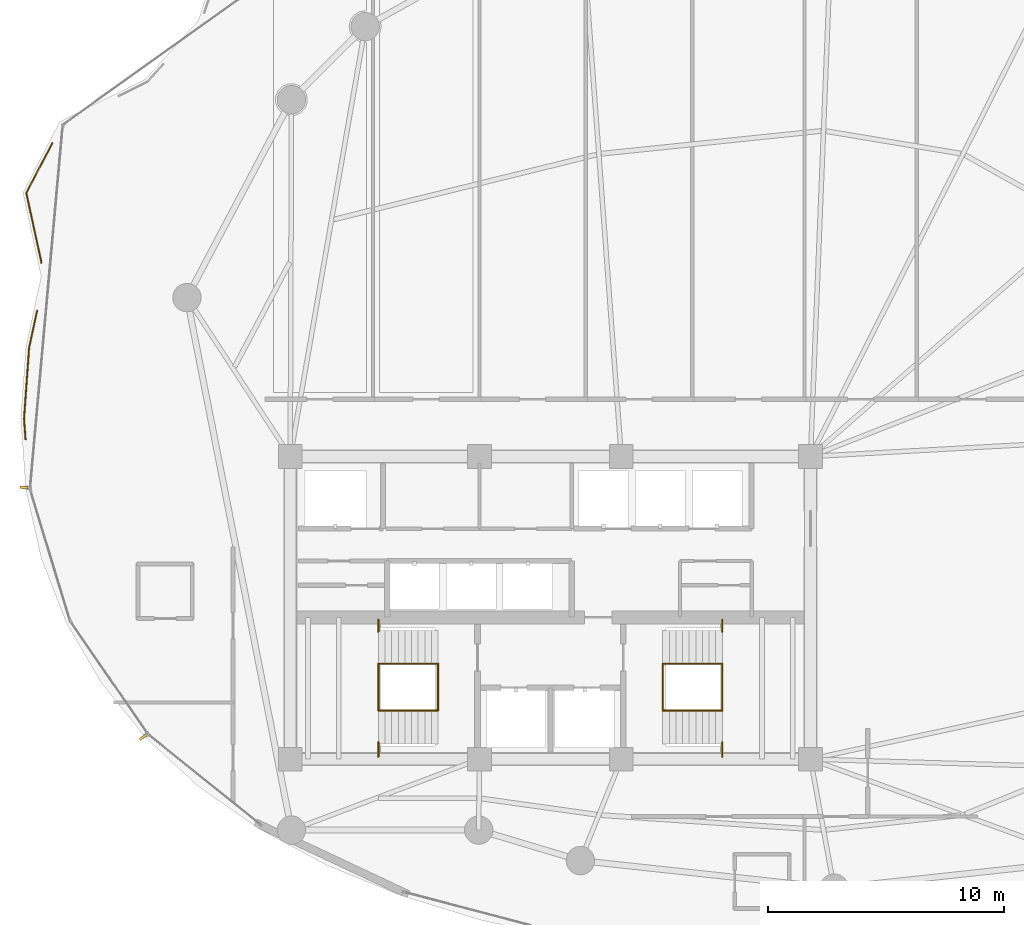
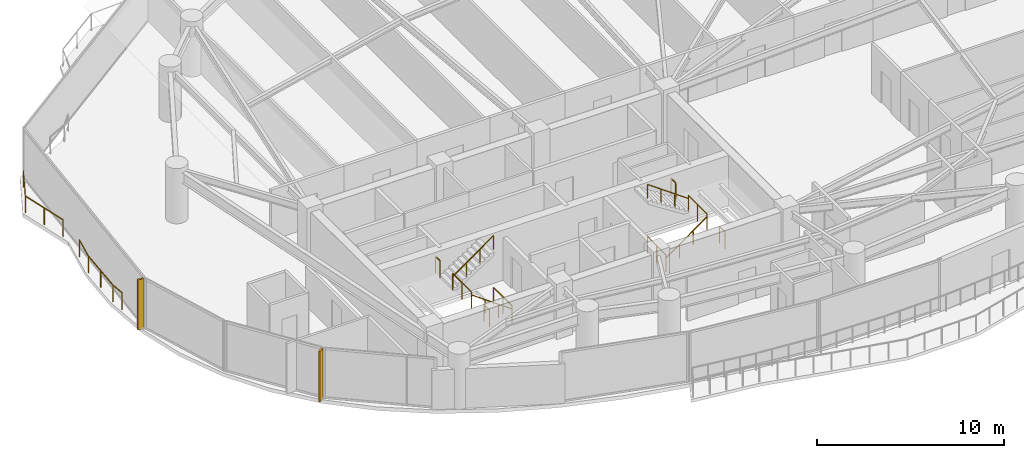
# One storey, part 31 of 33: 14 railings, 2 shading devices.
"""IFC4 building model written with IfcOpenShell, lengths in metres."""

from ifc_helpers import new_model, si_unit, direction, frame, origin, origin_2d, place, context, subcontext, project, spatial, rectangle, extrude, material, type_object, element, save


model = new_model("IFC4")

# Units and contexts
model_context = context("Model", 3, precision=1e-05, world=origin(), true_north=direction((0.0, 1.0)))
body_context = subcontext(model_context, "Body", "Model", "MODEL_VIEW")
ifc_project = project(units=[si_unit("LENGTHUNIT", "METRE"), si_unit("AREAUNIT", "SQUARE_METRE"), si_unit("VOLUMEUNIT", "CUBIC_METRE"), si_unit("PLANEANGLEUNIT", "RADIAN"), si_unit("MASSUNIT", "GRAM", prefix="KILO")], contexts=[model_context])

# Site, building, storey
site_placement = place(None, origin())
site = spatial("IfcSite", under=ifc_project, at=site_placement, CompositionType="ELEMENT")
building_placement = place(site_placement, origin())
building = spatial("IfcBuilding", under=site, at=building_placement, Name="Kazevale Care Tower and Concert Hall", CompositionType="ELEMENT")
storey_placement = place(building_placement, frame((0.0, 0.0, 178.199951171875)))
storey = spatial("IfcBuildingStorey", under=building, at=storey_placement, Name="L47", CompositionType="ELEMENT", Elevation=178.199951171875)

# Railings
ifc_material_1 = material(Name="Anodised Bronze Aluminium and Laminated Glass", Category="aluminium")
railing_type_1 = type_object("IfcRailingType", Name="Balcony and Terrace Balustrade 1120", PredefinedType="BALUSTRADE", material=ifc_material_1)
railing_1_placement = place(storey_placement, frame((10.802978515625, 37.1298828125, 0.0)))
element("IfcRailing", 1, at=railing_1_placement, inside=storey, type_object=railing_type_1, Name="rail:L47:perim:1", PredefinedType="BALUSTRADE", context=body_context, shape_type="SweptSolid", body=[
    extrude(rectangle(XDim=0.048095703125, YDim=0.048095703125, at=origin_2d()), frame((0.0, 0.0, 1.09619140625), z_axis=(-0.072201637043, 0.9973900559, 0.0), x_axis=(-0.9973900559, -0.072201637043, 0.0)), (0.0, 0.0, 1.0), 0.872314453125),
    extrude(rectangle(XDim=0.048095703125, YDim=0.048095703125, at=origin_2d()), frame((-0.06298828125, 0.8701171875, 1.09619140625), z_axis=(0.071442989214, 0.997444684828, 0.0), x_axis=(-0.997444684828, 0.071442989214, 0.0)), (0.0, 0.0, 1.0), 3.0107421875),
    extrude(rectangle(XDim=0.048095703125, YDim=0.048095703125, at=origin_2d()), frame((0.152099609375, 3.873046875, 1.09619140625), z_axis=(0.211602003156, 0.977355918926, 0.0), x_axis=(-0.977355918926, 0.211602003156, 0.0)), (0.0, 0.0, 1.0), 1.59228515625),
    extrude(rectangle(XDim=0.0419921875, YDim=0.0419921875, at=origin_2d()), origin(), (0.0, 0.0, 1.0), 1.072021484375),
    extrude(rectangle(XDim=0.0419921875, YDim=0.0419921875, at=origin_2d()), frame((-0.06298828125, 0.8701171875, 0.0)), (0.0, 0.0, 1.0), 1.072021484375),
    extrude(rectangle(XDim=0.0419921875, YDim=0.0419921875, at=origin_2d()), frame((0.04443359375, 2.37158203125, 0.0)), (0.0, 0.0, 1.0), 1.072021484375),
    extrude(rectangle(XDim=0.0419921875, YDim=0.0419921875, at=origin_2d()), frame((0.152099609375, 3.873046875, 0.0)), (0.0, 0.0, 1.0), 1.072021484375),
    extrude(rectangle(XDim=0.0419921875, YDim=0.0419921875, at=origin_2d()), frame((0.489013671875, 5.42919921875, 0.0)), (0.0, 0.0, 1.0), 1.072021484375),
])
railing_2_placement = place(storey_placement, frame((11.47607421875, 44.60400390625, 0.0)))
element("IfcRailing", 2, at=railing_2_placement, inside=storey, type_object=railing_type_1, Name="rail:L47:perim:2", PredefinedType="BALUSTRADE", context=body_context, shape_type="SweptSolid", body=[
    extrude(rectangle(XDim=0.048095703125, YDim=0.048095703125, at=origin_2d()), frame((0.0, 0.0, 1.09619140625), z_axis=(-0.212577968592, 0.977144107729, 0.0), x_axis=(-0.977144107729, -0.212577968592, 0.0)), (0.0, 0.0, 1.0), 3.006591796875),
    extrude(rectangle(XDim=0.048095703125, YDim=0.048095703125, at=origin_2d()), frame((-0.63916015625, 2.93798828125, 1.09619140625), z_axis=(0.461674148764, 0.887049592956, 0.0), x_axis=(-0.887049592956, 0.461674148764, 0.0)), (0.0, 0.0, 1.0), 2.367431640625),
    extrude(rectangle(XDim=0.0419921875, YDim=0.0419921875, at=origin_2d()), origin(), (0.0, 0.0, 1.0), 1.072021484375),
    extrude(rectangle(XDim=0.0419921875, YDim=0.0419921875, at=origin_2d()), frame((-0.319580078125, 1.468994140625, 0.0)), (0.0, 0.0, 1.0), 1.072021484375),
    extrude(rectangle(XDim=0.0419921875, YDim=0.0419921875, at=origin_2d()), frame((-0.63916015625, 2.93798828125, 0.0)), (0.0, 0.0, 1.0), 1.072021484375),
    extrude(rectangle(XDim=0.0419921875, YDim=0.0419921875, at=origin_2d()), frame((0.453857421875, 5.0380859375, 0.0)), (0.0, 0.0, 1.0), 1.072021484375),
])
ifc_material_2 = material(Name="Stainless Steel 316", Category="steel")
railing_type_2 = type_object("IfcRailingType", Name="Stair Pitch Handrail 920", PredefinedType="HANDRAIL", material=ifc_material_2)
railing_3_placement = place(storey_placement, frame((28.25, 25.659912109375, 0.0)))
element("IfcRailing", 3, at=railing_3_placement, inside=storey, type_object=railing_type_2, Name="stair:L47:ST1:hr1", PredefinedType="HANDRAIL", context=body_context, shape_type="SweptSolid", body=[
    extrude(rectangle(XDim=0.048095703125, YDim=0.048095703125, at=origin_2d()), frame((0.0, 0.0, 0.89599609375), z_axis=(-0.813728144527, 0.0, 0.581245650998), x_axis=(0.0, -1.0, 0.0)), (0.0, 0.0, 1.0), 3.096923828125),
    extrude(rectangle(XDim=0.0419921875, YDim=0.0419921875, at=origin_2d()), origin(), (0.0, 0.0, 1.0), 0.871826171875),
    extrude(rectangle(XDim=0.0419921875, YDim=0.0419921875, at=origin_2d()), frame((-0.840087890625, 0.0, 0.60009765625)), (0.0, 0.0, 1.0), 0.871826171875),
    extrude(rectangle(XDim=0.0419921875, YDim=0.0419921875, at=origin_2d()), frame((-1.679931640625, 0.0, 1.199951171875)), (0.0, 0.0, 1.0), 0.871826171875),
    extrude(rectangle(XDim=0.0419921875, YDim=0.0419921875, at=origin_2d()), frame((-2.52001953125, 0.0, 1.800048828125)), (0.0, 0.0, 1.0), 0.871826171875),
])
for number, where, name in (
    (4, (25.72998046875, 27.639892578125, 1.800048828125), "stair:L47:ST1:hr2"),
    (5, (37.75, 25.659912109375, 0.0), "stair:L47:ST2:hr1"),
):
    element("IfcRailing", number, at=place(storey_placement, frame(where)), inside=storey, type_object=railing_type_2, Name=name, PredefinedType="HANDRAIL", context=body_context, shape_type="SweptSolid", body=[
        extrude(rectangle(XDim=0.048095703125, YDim=0.048095703125, at=origin_2d()), frame((0.0, 0.0, 0.89599609375), z_axis=(0.813728144527, 0.0, 0.581245650998), x_axis=(0.0, 1.0, 0.0)), (0.0, 0.0, 1.0), 3.096923828125),
        extrude(rectangle(XDim=0.0419921875, YDim=0.0419921875, at=origin_2d()), origin(), (0.0, 0.0, 1.0), 0.871826171875),
        extrude(rectangle(XDim=0.0419921875, YDim=0.0419921875, at=origin_2d()), frame((0.840087890625, 0.0, 0.60009765625)), (0.0, 0.0, 1.0), 0.871826171875),
        extrude(rectangle(XDim=0.0419921875, YDim=0.0419921875, at=origin_2d()), frame((1.679931640625, 0.0, 1.199951171875)), (0.0, 0.0, 1.0), 0.871826171875),
        extrude(rectangle(XDim=0.0419921875, YDim=0.0419921875, at=origin_2d()), frame((2.52001953125, 0.0, 1.800048828125)), (0.0, 0.0, 1.0), 0.871826171875),
    ])
railing_4_placement = place(storey_placement, frame((40.27001953125, 27.639892578125, 1.800048828125)))
element("IfcRailing", 6, at=railing_4_placement, inside=storey, type_object=railing_type_2, Name="stair:L47:ST2:hr2", PredefinedType="HANDRAIL", context=body_context, shape_type="SweptSolid", body=[
    extrude(rectangle(XDim=0.048095703125, YDim=0.048095703125, at=origin_2d()), frame((0.0, 0.0, 0.89599609375), z_axis=(-0.813728144527, 0.0, 0.581245650998), x_axis=(0.0, -1.0, 0.0)), (0.0, 0.0, 1.0), 3.096923828125),
    extrude(rectangle(XDim=0.0419921875, YDim=0.0419921875, at=origin_2d()), origin(), (0.0, 0.0, 1.0), 0.871826171875),
    extrude(rectangle(XDim=0.0419921875, YDim=0.0419921875, at=origin_2d()), frame((-0.840087890625, 0.0, 0.60009765625)), (0.0, 0.0, 1.0), 0.871826171875),
    extrude(rectangle(XDim=0.0419921875, YDim=0.0419921875, at=origin_2d()), frame((-1.679931640625, 0.0, 1.199951171875)), (0.0, 0.0, 1.0), 0.871826171875),
    extrude(rectangle(XDim=0.0419921875, YDim=0.0419921875, at=origin_2d()), frame((-2.52001953125, 0.0, 1.800048828125)), (0.0, 0.0, 1.0), 0.871826171875),
])
railing_type_3 = type_object("IfcRailingType", Name="Stair Well Guard Balustrade 1120", PredefinedType="BALUSTRADE", material=ifc_material_2)
railing_5_placement = place(storey_placement, frame((25.72998046875, 23.699951171875, 1.800048828125)))
element("IfcRailing", 7, at=railing_5_placement, inside=storey, type_object=railing_type_3, Name="stair:L47:ST1:grd_side1", PredefinedType="BALUSTRADE", context=body_context, shape_type="SweptSolid", body=[
    extrude(rectangle(XDim=0.048095703125, YDim=0.048095703125, at=origin_2d()), frame((0.0, 0.0, 1.09619140625), z_axis=(0.0, 1.0, 0.0), x_axis=(-1.0, 0.0, 0.0)), (0.0, 0.0, 1.0), 0.610107421875),
    extrude(rectangle(XDim=0.0419921875, YDim=0.0419921875, at=origin_2d()), origin(), (0.0, 0.0, 1.0), 1.072021484375),
    extrude(rectangle(XDim=0.0419921875, YDim=0.0419921875, at=origin_2d()), frame((0.0, 0.610107421875, 0.0)), (0.0, 0.0, 1.0), 1.072021484375),
])
railing_6_placement = place(storey_placement, frame((25.72998046875, 28.989990234375, 1.800048828125)))
element("IfcRailing", 8, at=railing_6_placement, inside=storey, type_object=railing_type_3, Name="stair:L47:ST1:grd_side2", PredefinedType="BALUSTRADE", context=body_context, shape_type="SweptSolid", body=[
    extrude(rectangle(XDim=0.048095703125, YDim=0.048095703125, at=origin_2d()), frame((0.0, 0.0, 1.09619140625), z_axis=(0.0, 1.0, 0.0), x_axis=(-1.0, 0.0, 0.0)), (0.0, 0.0, 1.0), 0.510009765625),
    extrude(rectangle(XDim=0.0419921875, YDim=0.0419921875, at=origin_2d()), origin(), (0.0, 0.0, 1.0), 1.072021484375),
    extrude(rectangle(XDim=0.0419921875, YDim=0.0419921875, at=origin_2d()), frame((0.0, 0.510009765625, 0.0)), (0.0, 0.0, 1.0), 1.072021484375),
])
for number, where, name in (
    (9, (25.72998046875, 25.659912109375, 1.800048828125), "stair:L47:ST1:grd_mid"),
    (10, (28.25, 25.659912109375, 0.0), "stair:L47:ST1:grd_flr"),
):
    element("IfcRailing", number, at=place(storey_placement, frame(where)), inside=storey, type_object=railing_type_3, Name=name, PredefinedType="BALUSTRADE", context=body_context, shape_type="SweptSolid", body=[
        extrude(rectangle(XDim=0.048095703125, YDim=0.048095703125, at=origin_2d()), frame((0.0, 0.0, 1.09619140625), z_axis=(0.0, 1.0, 0.0), x_axis=(-1.0, 0.0, 0.0)), (0.0, 0.0, 1.0), 1.97998046875),
        extrude(rectangle(XDim=0.0419921875, YDim=0.0419921875, at=origin_2d()), origin(), (0.0, 0.0, 1.0), 1.072021484375),
        extrude(rectangle(XDim=0.0419921875, YDim=0.0419921875, at=origin_2d()), frame((0.0, 0.989990234375, 0.0)), (0.0, 0.0, 1.0), 1.072021484375),
        extrude(rectangle(XDim=0.0419921875, YDim=0.0419921875, at=origin_2d()), frame((0.0, 1.97998046875, 0.0)), (0.0, 0.0, 1.0), 1.072021484375),
    ])
railing_7_placement = place(storey_placement, frame((40.27001953125, 23.699951171875, 1.800048828125)))
element("IfcRailing", 11, at=railing_7_placement, inside=storey, type_object=railing_type_3, Name="stair:L47:ST2:grd_side1", PredefinedType="BALUSTRADE", context=body_context, shape_type="SweptSolid", body=[
    extrude(rectangle(XDim=0.048095703125, YDim=0.048095703125, at=origin_2d()), frame((0.0, 0.0, 1.09619140625), z_axis=(0.0, 1.0, 0.0), x_axis=(-1.0, 0.0, 0.0)), (0.0, 0.0, 1.0), 0.610107421875),
    extrude(rectangle(XDim=0.0419921875, YDim=0.0419921875, at=origin_2d()), origin(), (0.0, 0.0, 1.0), 1.072021484375),
    extrude(rectangle(XDim=0.0419921875, YDim=0.0419921875, at=origin_2d()), frame((0.0, 0.610107421875, 0.0)), (0.0, 0.0, 1.0), 1.072021484375),
])
railing_8_placement = place(storey_placement, frame((40.27001953125, 28.989990234375, 1.800048828125)))
element("IfcRailing", 12, at=railing_8_placement, inside=storey, type_object=railing_type_3, Name="stair:L47:ST2:grd_side2", PredefinedType="BALUSTRADE", context=body_context, shape_type="SweptSolid", body=[
    extrude(rectangle(XDim=0.048095703125, YDim=0.048095703125, at=origin_2d()), frame((0.0, 0.0, 1.09619140625), z_axis=(0.0, 1.0, 0.0), x_axis=(-1.0, 0.0, 0.0)), (0.0, 0.0, 1.0), 0.510009765625),
    extrude(rectangle(XDim=0.0419921875, YDim=0.0419921875, at=origin_2d()), origin(), (0.0, 0.0, 1.0), 1.072021484375),
    extrude(rectangle(XDim=0.0419921875, YDim=0.0419921875, at=origin_2d()), frame((0.0, 0.510009765625, 0.0)), (0.0, 0.0, 1.0), 1.072021484375),
])
for number, where, name in (
    (13, (40.27001953125, 25.659912109375, 1.800048828125), "stair:L47:ST2:grd_mid"),
    (14, (37.75, 25.659912109375, 0.0), "stair:L47:ST2:grd_flr"),
):
    element("IfcRailing", number, at=place(storey_placement, frame(where)), inside=storey, type_object=railing_type_3, Name=name, PredefinedType="BALUSTRADE", context=body_context, shape_type="SweptSolid", body=[
        extrude(rectangle(XDim=0.048095703125, YDim=0.048095703125, at=origin_2d()), frame((0.0, 0.0, 1.09619140625), z_axis=(0.0, 1.0, 0.0), x_axis=(-1.0, 0.0, 0.0)), (0.0, 0.0, 1.0), 1.97998046875),
        extrude(rectangle(XDim=0.0419921875, YDim=0.0419921875, at=origin_2d()), origin(), (0.0, 0.0, 1.0), 1.072021484375),
        extrude(rectangle(XDim=0.0419921875, YDim=0.0419921875, at=origin_2d()), frame((0.0, 0.989990234375, 0.0)), (0.0, 0.0, 1.0), 1.072021484375),
        extrude(rectangle(XDim=0.0419921875, YDim=0.0419921875, at=origin_2d()), frame((0.0, 1.97998046875, 0.0)), (0.0, 0.0, 1.0), 1.072021484375),
    ])

# Shading devices
ifc_material_3 = material(Name="Anodised Bronze Aluminium", Category="aluminium")
shading_device_type = type_object("IfcShadingDeviceType", Name="Waist Anodised Bronze-Stone Fin FIN-02", PredefinedType="USERDEFINED", material=ifc_material_3)
for number, where, z_axis, x_axis, name in (
    (15, (15.7705078125, 24.525634765625, 0.0), (0.0, 0.0, 1.0), (-0.823334533242, -0.567556381667, 0.0), "cw:L47:f11:fin"),
    (16, (10.74365234375, 35.0869140625, 0.0), (0.0, 0.0, 1.0), (-0.995963111248, 0.089763472712, 0.0), "cw:L47:f13:fin"),
):
    element("IfcShadingDevice", number, at=place(storey_placement, frame(where, z_axis=z_axis, x_axis=x_axis)), inside=storey, type_object=shading_device_type, Name=name, ObjectType="FIN", PredefinedType="USERDEFINED", context=body_context, shape_type="SweptSolid", body=[
        extrude(rectangle(XDim=0.340087890625, YDim=0.10009765625, at=origin_2d()), origin(), (0.0, 0.0, 1.0), 3.280029296875),
    ])

save(model, "model.ifc")
